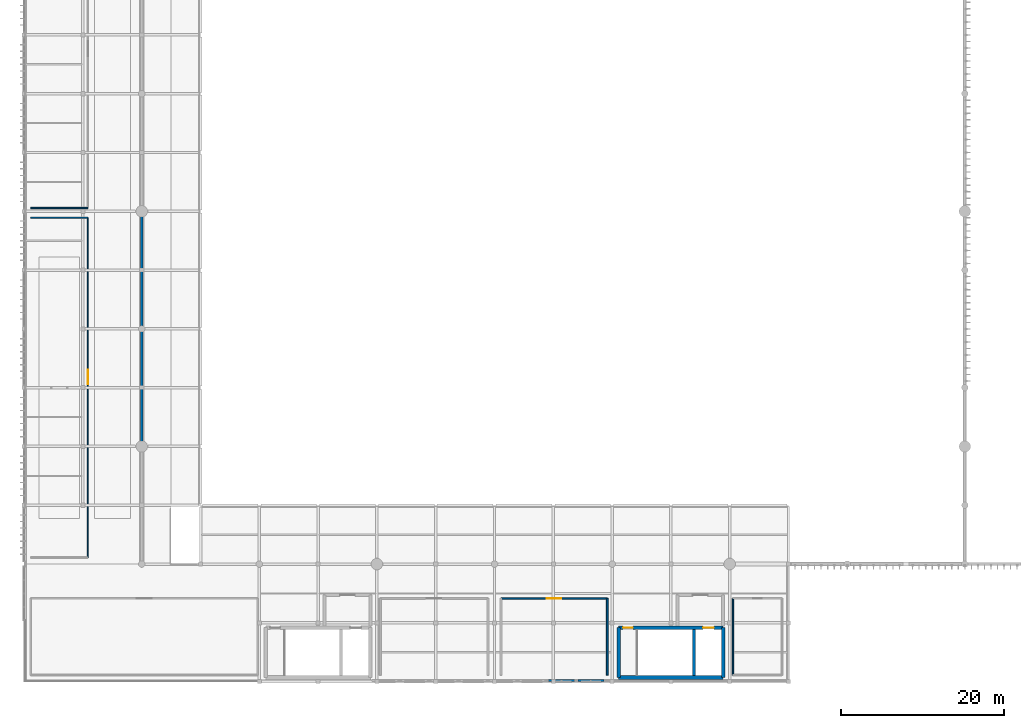
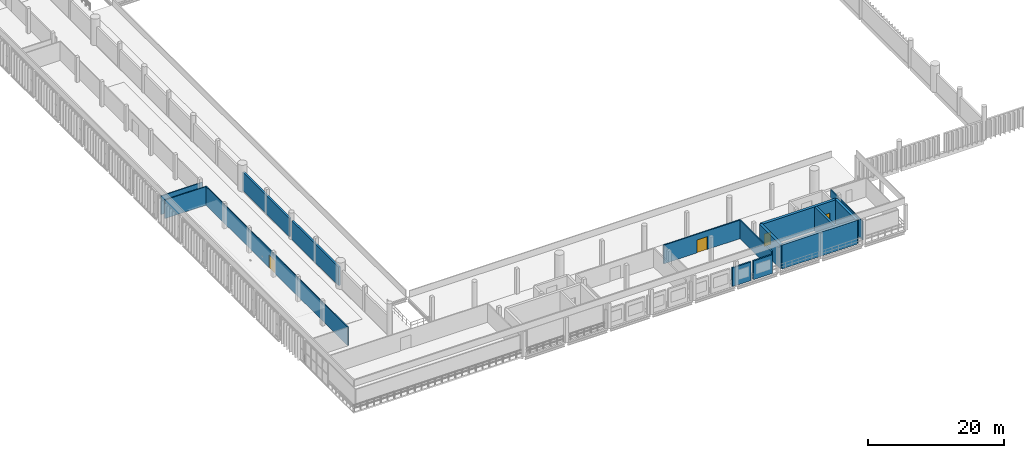
# One storey, part 44 of 64: 15 walls, 4 doors, 4 openings.
"""IFC4 building model written with IfcOpenShell, lengths in metres."""

import ifcopenshell
import ifcopenshell.guid

model = None  # the IFC model being written
_history = None  # IfcOwnerHistory: only IFC2X3 demands one
_inside = {}  # id of a spatial element -> (the spatial element, [elements in it])
_under = {}  # id of a project, library or spatial element -> (it, [spatial elements below it])
_declared = {}  # id of a project -> (the project, [libraries it declares])
_typed = {}  # id of a type object -> (the type object, [elements of that type])
_made_of = {}  # id of a material, layer set ... -> (it, [elements and type objects made of it])


def new_model(schema):
    """Start an empty IFC model of exactly this schema.

    Asked for "IFC4X3", IfcOpenShell would pick the latest addendum, in which some entities
    have other attributes; the version numbers below select the first issue.
    IFC2X3 requires an IfcOwnerHistory on every rooted entity: one is made here for all.
    """
    global model, _history
    if schema == "IFC4X3":
        model = ifcopenshell.file(schema_version=(4, 3, 0, 0))
    else:
        model = ifcopenshell.file(schema=schema)
    _inside.clear()
    _under.clear()
    _declared.clear()
    _typed.clear()
    _made_of.clear()
    _history = None
    if model.schema == "IFC2X3":
        org = make("IfcOrganization", Name="unknown")
        user = make(
            "IfcPersonAndOrganization",
            ThePerson=make("IfcPerson", FamilyName="unknown"),
            TheOrganization=org,
        )
        app = make(
            "IfcApplication",
            ApplicationDeveloper=org,
            Version="unknown",
            ApplicationFullName="unknown",
            ApplicationIdentifier="unknown",
        )
        _history = make(
            "IfcOwnerHistory",
            OwningUser=user,
            OwningApplication=app,
            ChangeAction="ADDED",
            CreationDate=0,
        )
    return model


def make(cls, **values):
    """One entity of the class cls with the attributes given. An attribute that is None is left unset."""
    return model.create_entity(
        cls, **{name: value for name, value in values.items() if value is not None}
    )


def rooted(cls, **values):
    """An entity with a GlobalId (a new one), such as an element, a storey or a relation."""
    return make(cls, GlobalId=ifcopenshell.guid.new(), OwnerHistory=_history, **values)


def si_unit(unit_type, name, prefix=None):
    """IfcSIUnit, for example si_unit("LENGTHUNIT", "METRE", prefix="MILLI")."""
    return make("IfcSIUnit", UnitType=unit_type, Prefix=prefix, Name=name)


def assignment(units):
    """IfcUnitAssignment: the units of a project."""
    return None if units is None else make("IfcUnitAssignment", Units=units)


def point(xyz):
    """IfcCartesianPoint."""
    return None if xyz is None else make("IfcCartesianPoint", Coordinates=xyz)


def direction(xyz):
    """IfcDirection."""
    return None if xyz is None else make("IfcDirection", DirectionRatios=xyz)


def frame(location, z_axis=None, x_axis=None):
    """IfcAxis2Placement3D, a coordinate frame: its origin and axes. An axis left out is left unset."""
    return make(
        "IfcAxis2Placement3D",
        Location=point(location),
        Axis=direction(z_axis),
        RefDirection=direction(x_axis),
    )


def frame_2d(location, x_axis=None):
    """IfcAxis2Placement2D, a coordinate frame in the plane: its origin and x axis."""
    return make(
        "IfcAxis2Placement2D", Location=point(location), RefDirection=direction(x_axis)
    )


def origin():
    """The frame at (0, 0, 0) with its axes left unset."""
    return frame((0.0, 0.0, 0.0))


def place(relative_to, where):
    """IfcLocalPlacement: puts the frame where relative to a parent placement (None: the world)."""
    return make(
        "IfcLocalPlacement", PlacementRelTo=relative_to, RelativePlacement=where
    )


def context(
    kind, dimensions, precision=None, world=None, true_north=None, identifier=None
):
    """IfcGeometricRepresentationContext, for example the 3D "Model" context."""
    return make(
        "IfcGeometricRepresentationContext",
        ContextIdentifier=identifier,
        ContextType=kind,
        CoordinateSpaceDimension=dimensions,
        Precision=precision,
        WorldCoordinateSystem=world,
        TrueNorth=true_north,
    )


def subcontext(parent, identifier, kind, view, scale=None):
    """IfcGeometricRepresentationSubContext, for example "Body" below "Model"."""
    return make(
        "IfcGeometricRepresentationSubContext",
        ContextIdentifier=identifier,
        ContextType=kind,
        ParentContext=parent,
        TargetScale=scale,
        TargetView=view,
    )


def project(units=None, contexts=None):
    """IfcProject with its units and contexts."""
    return rooted(
        "IfcProject",
        Name="project",
        RepresentationContexts=contexts,
        UnitsInContext=assignment(units),
    )


def spatial(cls, under=None, at=None, **own):
    """A site, building, storey or space (cls), placed at a placement, below another one or the project."""
    s = rooted(cls, ObjectPlacement=at, **own)
    if under is not None:
        _under.setdefault(under.id(), (under, []))[1].append(s)
    return s


def profile(cls, at=None, kind="AREA", **sizes):
    """A parametric profile (cls). Its sizes go by their IFC names, for example OverallWidth=200.0."""
    return make(cls, ProfileType=kind, Position=at, **sizes)


def rectangle(**sizes):
    """IfcRectangleProfileDef."""
    return profile("IfcRectangleProfileDef", **sizes)


def extrude(swept, where, along, depth):
    """IfcExtrudedAreaSolid: the profile swept, set in the frame where, extruded along a direction by depth."""
    return make(
        "IfcExtrudedAreaSolid",
        SweptArea=swept,
        Position=where,
        ExtrudedDirection=direction(along),
        Depth=depth,
    )


def shape(context_of_items, identifier, shape_type, items):
    """IfcShapeRepresentation: the items that make up one representation, for example the "Body"."""
    return make(
        "IfcShapeRepresentation",
        ContextOfItems=context_of_items,
        RepresentationIdentifier=identifier,
        RepresentationType=shape_type,
        Items=items,
    )


def material(Name=None, Category=None):
    """IfcMaterial."""
    return make("IfcMaterial", Name=Name, Category=Category)


def layer(
    of_material, thickness, ventilated=None, Name=None, Category=None, Priority=None
):
    """IfcMaterialLayer: one layer of a wall or slab, of a material (None: an air gap)."""
    return make(
        "IfcMaterialLayer",
        Material=of_material,
        LayerThickness=thickness,
        IsVentilated=ventilated,
        Name=Name,
        Category=Category,
        Priority=Priority,
    )


def layer_set(layers, Name=None):
    """IfcMaterialLayerSet."""
    return make("IfcMaterialLayerSet", MaterialLayers=layers, LayerSetName=Name)


def made_of(thing, what):
    """Note that an element or type object is made of a material, layer set ...; save() writes the relation."""
    if what is not None:
        _made_of.setdefault(what.id(), (what, []))[1].append(thing)
    return thing


def type_object(cls, material=None, **own):
    """A type object (cls), such as IfcWallType, which elements share."""
    return made_of(rooted(cls, **own), material)


def element(
    cls,
    number,
    at=None,
    inside=None,
    cuts=None,
    type_object=None,
    material=None,
    context=None,
    identifier="Body",
    shape_type=None,
    held_by="IfcProductDefinitionShape",
    body=None,
    shapes=None,
    **own,
):
    """One element of the class cls, such as IfcWall. Its Tag is "e" and its number.

    at: its placement. inside: the storey or other place that contains it. cuts: it is an
    opening in that element (IfcRelVoidsElement). A single representation is given by context,
    identifier, shape_type and body (its items); several are given by shapes. held_by: the class
    of the entity that holds the representations. save() writes the other relations.
    """
    e = rooted(cls, Tag="e%d" % number, ObjectPlacement=at, **own)
    if body is not None:
        shapes = [shape(context, identifier, shape_type, body)]
    if shapes is not None:
        e.Representation = make(held_by, Representations=shapes)
    if inside is not None:
        _inside.setdefault(inside.id(), (inside, []))[1].append(e)
    if cuts is not None:
        rooted(
            "IfcRelVoidsElement", RelatingBuildingElement=cuts, RelatedOpeningElement=e
        )
    if type_object is not None:
        _typed.setdefault(type_object.id(), (type_object, []))[1].append(e)
    return made_of(e, material)


def fill(opening, filler):
    """IfcRelFillsElement: the door or window that sits in an opening."""
    return rooted(
        "IfcRelFillsElement",
        RelatingOpeningElement=opening,
        RelatedBuildingElement=filler,
    )


def aggregate(whole, parts):
    """IfcRelAggregates: a whole, such as a stair, and the parts it consists of."""
    return rooted("IfcRelAggregates", RelatingObject=whole, RelatedObjects=parts)


def save(model, path):
    """Write the relations noted so far, then the file.

    IfcRelAggregates (storeys below a building ...), IfcRelContainedInSpatialStructure (elements
    in a storey), IfcRelDefinesByType, IfcRelAssociatesMaterial and IfcRelDeclares: one each for
    every whole, place, type object, material and project.
    """
    for whole, parts in _under.values():
        aggregate(whole, parts)
    for where, things in _inside.values():
        rooted(
            "IfcRelContainedInSpatialStructure",
            RelatedElements=things,
            RelatingStructure=where,
        )
    for kind, things in _typed.values():
        rooted("IfcRelDefinesByType", RelatedObjects=things, RelatingType=kind)
    for what, things in _made_of.values():
        rooted("IfcRelAssociatesMaterial", RelatedObjects=things, RelatingMaterial=what)
    for by, libraries in _declared.values():
        rooted("IfcRelDeclares", RelatingContext=by, RelatedDefinitions=libraries)
    model.write(path)


model = new_model("IFC4")

# Units and contexts
model_context = context("Model", 3, precision=1e-05, world=origin(), true_north=direction((0.0, 1.0)))
body_context = subcontext(model_context, "Body", "Model", "MODEL_VIEW")
ifc_project = project(units=[si_unit("LENGTHUNIT", "METRE"), si_unit("AREAUNIT", "SQUARE_METRE"), si_unit("VOLUMEUNIT", "CUBIC_METRE"), si_unit("PLANEANGLEUNIT", "RADIAN"), si_unit("MASSUNIT", "GRAM", prefix="KILO")], contexts=[model_context])

# Site, building, storey
site_placement = place(None, origin())
site = spatial("IfcSite", under=ifc_project, at=site_placement, CompositionType="ELEMENT")
building_placement = place(site_placement, origin())
building = spatial("IfcBuilding", under=site, at=building_placement, Name="Qandorah Velis Arena", CompositionType="ELEMENT")
storey_placement = place(building_placement, frame((0.0, 0.0, 23.0)))
storey = spatial("IfcBuildingStorey", under=building, at=storey_placement, Name="L05", CompositionType="ELEMENT", Elevation=23.0)

# Walls
ifc_material_1 = material(Name="Precast concrete C40/50", Category="concrete")
ifc_layer_1 = layer(ifc_material_1, 0.320068359375)
ifc_layer_set_1 = layer_set([ifc_layer_1], Name="Precast concrete C40/50")
wall_type_1 = type_object("IfcWallType", Name="ARC-WAL-BOWL320", PredefinedType="SOLIDWALL", material=ifc_layer_set_1)
wall_1_placement = place(storey_placement, frame((14.39990234375, 29.14990234375, 0.0), z_axis=(0.0, 0.0, 1.0), x_axis=(0.0, 1.0, 0.0)))
element("IfcWall", 1, at=wall_1_placement, inside=storey, type_object=wall_type_1, Name="Arena bowl acoustic drum wall 1.2 (L05)", PredefinedType="SOLIDWALL", context=body_context, shape_type="SweptSolid", body=[
    extrude(rectangle(XDim=13.7001953125, YDim=0.320068359375, at=frame_2d((6.85009765625, 0.0))), origin(), (0.0, 0.0, 1.0), 3.340087890625),
])
wall_2_placement = place(storey_placement, frame((14.39990234375, 43.550048828125, 0.0), z_axis=(0.0, 0.0, 1.0), x_axis=(0.0, 1.0, 0.0)))
element("IfcWall", 2, at=wall_2_placement, inside=storey, type_object=wall_type_1, Name="Arena bowl acoustic drum wall 1.3 (L05)", PredefinedType="SOLIDWALL", context=body_context, shape_type="SweptSolid", body=[
    extrude(rectangle(XDim=13.699951171875, YDim=0.320068359375, at=frame_2d((6.85009765625, 0.0))), origin(), (0.0, 0.0, 1.0), 3.340087890625),
])
ifc_layer_2 = layer(ifc_material_1, 0.260009765625)
ifc_layer_set_2 = layer_set([ifc_layer_2], Name="Precast concrete C40/50")
wall_type_2 = type_object("IfcWallType", Name="ARC-WAL-EXT260", PredefinedType="SOLIDWALL", material=ifc_layer_set_2)
for number, where, z_axis, x_axis, name in (
    (3, (64.199951171875, 0.14990234375, 0.0), (0.0, 0.0, 1.0), (1.0, 0.0, 0.0), "Smoke-extract plant room facade wall 7"),
    (4, (67.800048828125, 0.14990234375, 0.0), (0.0, 0.0, 1.0), (1.0, 0.0, 0.0), "Smoke-extract plant room facade wall 8"),
):
    element("IfcWall", number, at=place(storey_placement, frame(where, z_axis=z_axis, x_axis=x_axis)), inside=storey, type_object=wall_type_2, Name=name, PredefinedType="SOLIDWALL", context=body_context, shape_type="SweptSolid", body=[
        extrude(rectangle(XDim=3.199951171875, YDim=0.260009765625, at=frame_2d((1.60009765625, 0.0))), origin(), (0.0, 0.0, 1.0), 3.340087890625),
    ])
ifc_material_2 = material(Name="Concrete C35/45", Category="concrete")
ifc_layer_3 = layer(ifc_material_2, 0.199951171875)
ifc_layer_set_3 = layer_set([ifc_layer_3], Name="Concrete C35/45")
wall_type_3 = type_object("IfcWallType", Name="ARC-WAL-FD60-200", PredefinedType="PARTITIONING", material=ifc_layer_set_3)
wall_3_placement = place(storey_placement, frame((71.39990234375, 0.800048828125, 0.0), z_axis=(0.0, 0.0, 1.0), x_axis=(0.0, 1.0, 0.0)))
element("IfcWall", 5, at=wall_3_placement, inside=storey, type_object=wall_type_3, Name="Interior partition L05-AHU-S (E)", PredefinedType="PARTITIONING", context=body_context, shape_type="SweptSolid", body=[
    extrude(rectangle(XDim=9.39990234375, YDim=0.199951171875, at=frame_2d((4.699951171875, 0.0))), origin(), (0.0, 0.0, 1.0), 3.340087890625),
])

# Wall, opening, door
wall_4_placement = place(storey_placement, frame((71.39990234375, 10.199951171875, 0.0), z_axis=(0.0, 0.0, 1.0), x_axis=(-1.0, 0.0, 0.0)))
wall_4 = element("IfcWall", 6, at=wall_4_placement, inside=storey, type_object=wall_type_3, Name="Interior partition L05-AHU-S (N)", PredefinedType="PARTITIONING", context=body_context, shape_type="SweptSolid", body=[
    extrude(rectangle(XDim=13.0, YDim=0.199951171875, at=frame_2d((6.5, 0.0))), origin(), (0.0, 0.0, 1.0), 3.340087890625),
])
opening_1_placement = place(wall_4_placement, frame((5.60009765625, 0.0, 0.0)))
opening_1 = element("IfcOpeningElement", 7, at=opening_1_placement, cuts=wall_4, Name="Opening FD1", PredefinedType="OPENING", context=body_context, shape_type="SweptSolid", body=[
    extrude(rectangle(XDim=1.800048828125, YDim=2.300048828125, at=frame_2d((0.89990234375, 1.14990234375))), frame((0.0, 0.10986328125, 0.0), z_axis=(0.0, -1.0, 0.0), x_axis=(1.0, 0.0, 0.0)), (0.0, 0.0, 1.0), 0.219970703125),
])
ifc_material_3 = material(Name="Insulated fire-rated double steel door", Category="steel")
door_type_1 = type_object("IfcDoorType", Name="ARC-DR-FD1800", OperationType="NOTDEFINED", PredefinedType="DOOR", material=ifc_material_3)
door_1_placement = place(opening_1_placement, frame((1.800048828125, 0.0, 0.0), z_axis=(0.0, 0.0, 1.0), x_axis=(-1.0, 0.0, 0.0)))
door_1 = element("IfcDoor", 8, at=door_1_placement, inside=storey, type_object=door_type_1, Name="Door L05-AHU-S", OperationType="DOUBLE_DOOR_SINGLE_SWING", OverallHeight=2.300048828125, OverallWidth=1.800048828125, PredefinedType="DOOR", context=body_context, shape_type="SweptSolid", body=[
    extrude(rectangle(XDim=1.800048828125, YDim=2.300048828125, at=frame_2d((0.89990234375, 1.14990234375))), frame((0.0, 0.02490234375, 0.0), z_axis=(0.0, -1.0, 0.0), x_axis=(1.0, 0.0, 0.0)), (0.0, 0.0, 1.0), 0.050048828125),
])
fill(opening_1, door_1)

ifc_layer_4 = layer(ifc_material_2, 0.14990234375)
ifc_layer_set_4 = layer_set([ifc_layer_4], Name="Concrete C35/45")
wall_type_4 = type_object("IfcWallType", Name="ARC-WAL-PART150", PredefinedType="PARTITIONING", material=ifc_layer_set_4)
wall_5_placement = place(storey_placement, frame((7.800048828125, 15.199951171875, 0.0), z_axis=(0.0, 0.0, 1.0), x_axis=(0.0, 1.0, 0.0)))
wall_5 = element("IfcWall", 9, at=wall_5_placement, inside=storey, type_object=wall_type_4, Name="Interior partition L05-SKY-LNG (E)", PredefinedType="PARTITIONING", context=body_context, shape_type="SweptSolid", body=[
    extrude(rectangle(XDim=41.60009765625, YDim=0.14990234375, at=frame_2d((20.800048828125, 0.0))), origin(), (0.0, 0.0, 1.0), 3.340087890625),
])
opening_2_placement = place(wall_5_placement, frame((21.199951171875, 0.0, 0.0)))
opening_2 = element("IfcOpeningElement", 10, at=opening_2_placement, cuts=wall_5, Name="Opening D3", PredefinedType="OPENING", context=body_context, shape_type="SweptSolid", body=[
    extrude(rectangle(XDim=1.800048828125, YDim=2.300048828125, at=frame_2d((0.89990234375, 1.14990234375))), frame((0.0, 0.0849609375, 0.0), z_axis=(0.0, -1.0, 0.0), x_axis=(1.0, 0.0, 0.0)), (0.0, 0.0, 1.0), 0.169921875),
])
ifc_material_4 = material(Name="Double-leaf acoustic timber door", Category="wood")
door_type_2 = type_object("IfcDoorType", Name="ARC-DR-DBL1800", OperationType="NOTDEFINED", PredefinedType="DOOR", material=ifc_material_4)
door_2_placement = place(opening_2_placement, frame((1.800048828125, 0.0, 0.0), z_axis=(0.0, 0.0, 1.0), x_axis=(-1.0, 0.0, 0.0)))
door_2 = element("IfcDoor", 11, at=door_2_placement, inside=storey, type_object=door_type_2, Name="Door L05-SKY-LNG", OperationType="DOUBLE_DOOR_SINGLE_SWING", OverallHeight=2.300048828125, OverallWidth=1.800048828125, PredefinedType="DOOR", context=body_context, shape_type="SweptSolid", body=[
    extrude(rectangle(XDim=1.800048828125, YDim=2.300048828125, at=frame_2d((0.89990234375, 1.14990234375))), frame((0.0, 0.02490234375, 0.0), z_axis=(0.0, -1.0, 0.0), x_axis=(1.0, 0.0, 0.0)), (0.0, 0.0, 1.0), 0.050048828125),
])
fill(opening_2, door_2)

# Walls
for number, where, z_axis, x_axis, name in (
    (12, (7.800048828125, 56.800048828125, 0.0), (0.0, 0.0, 1.0), (-1.0, 0.0, 0.0), "Interior partition L05-SKY-LNG (N)"),
    (13, (0.800048828125, 58.0, 0.0), (0.0, 0.0, 1.0), (1.0, 0.0, 0.0), "Interior partition L05-HER-GAL (S)"),
):
    element("IfcWall", number, at=place(storey_placement, frame(where, z_axis=z_axis, x_axis=x_axis)), inside=storey, type_object=wall_type_4, Name=name, PredefinedType="PARTITIONING", context=body_context, shape_type="SweptSolid", body=[
        extrude(rectangle(XDim=7.0, YDim=0.14990234375, at=frame_2d((3.5, 0.0))), origin(), (0.0, 0.0, 1.0), 3.340087890625),
    ])
wall_6_placement = place(storey_placement, frame((86.800048828125, 10.199951171875, 0.0), z_axis=(0.0, 0.0, 1.0), x_axis=(0.0, -1.0, 0.0)))
element("IfcWall", 14, at=wall_6_placement, inside=storey, type_object=wall_type_4, Name="Interior partition L05-L05-AWC (W)", PredefinedType="PARTITIONING", context=body_context, shape_type="SweptSolid", body=[
    extrude(rectangle(XDim=9.39990234375, YDim=0.14990234375, at=frame_2d((4.699951171875, 0.0))), origin(), (0.0, 0.0, 1.0), 3.340087890625),
])
ifc_material_5 = material(Name="Concrete C40/50", Category="concrete")
ifc_layer_5 = layer(ifc_material_5, 0.449951171875)
ifc_layer_set_5 = layer_set([ifc_layer_5], Name="Concrete C40/50")
wall_type_5 = type_object("IfcWallType", Name="STR-WAL-CORE450", PredefinedType="SHEAR", material=ifc_layer_set_5)
wall_7_placement = place(storey_placement, frame((72.800048828125, 0.5, 0.0), z_axis=(0.0, 0.0, 1.0), x_axis=(1.0, 0.0, 0.0)))
element("IfcWall", 15, at=wall_7_placement, inside=storey, type_object=wall_type_5, Name="Core CORE-02 shear wall S (L05)", PredefinedType="SHEAR", context=body_context, shape_type="SweptSolid", body=[
    extrude(rectangle(XDim=12.800048828125, YDim=0.449951171875, at=frame_2d((6.39990234375, 0.0))), origin(), (0.0, 0.0, 1.0), 4.280029296875),
])

# Wall, openings, doors
wall_8_placement = place(storey_placement, frame((72.800048828125, 6.60009765625, 0.0), z_axis=(0.0, 0.0, 1.0), x_axis=(1.0, 0.0, 0.0)))
wall_8 = element("IfcWall", 16, at=wall_8_placement, inside=storey, type_object=wall_type_5, Name="Core CORE-02 shear wall N (L05)", PredefinedType="SHEAR", context=body_context, shape_type="SweptSolid", body=[
    extrude(rectangle(XDim=12.800048828125, YDim=0.449951171875, at=frame_2d((6.39990234375, 0.0))), origin(), (0.0, 0.0, 1.0), 4.280029296875),
])
opening_3_placement = place(wall_8_placement, frame((0.550048828125, 0.0, 0.0)))
opening_3 = element("IfcOpeningElement", 17, at=opening_3_placement, cuts=wall_8, Name="Opening SD1", PredefinedType="OPENING", context=body_context, shape_type="SweptSolid", body=[
    extrude(rectangle(XDim=1.199951171875, YDim=2.25, at=frame_2d((0.60009765625, 1.125))), frame((0.0, 0.23486328125, 0.0), z_axis=(0.0, -1.0, 0.0), x_axis=(1.0, 0.0, 0.0)), (0.0, 0.0, 1.0), 0.469970703125),
])
opening_4_placement = place(wall_8_placement, frame((10.35791015625, 0.0, 0.0)))
opening_4 = element("IfcOpeningElement", 18, at=opening_4_placement, cuts=wall_8, Name="Opening LD2", PredefinedType="OPENING", context=body_context, shape_type="SweptSolid", body=[
    extrude(rectangle(XDim=1.300048828125, YDim=2.25, at=frame_2d((0.64990234375, 1.125))), frame((0.0, 0.23486328125, 0.0), z_axis=(0.0, -1.0, 0.0), x_axis=(1.0, 0.0, 0.0)), (0.0, 0.0, 1.0), 0.469970703125),
])
ifc_material_6 = material(Name="Firefighting stainless sliding lift landing door", Category="steel")
door_type_3 = type_object("IfcDoorType", Name="ARC-DR-LD1300", OperationType="NOTDEFINED", PredefinedType="DOOR", material=ifc_material_6)
door_3_placement = place(opening_4_placement, origin())
door_3 = element("IfcDoor", 19, at=door_3_placement, inside=storey, type_object=door_type_3, Name="Lift FL2 sliding landing door (L05)", OperationType="SLIDING_TO_LEFT", OverallHeight=2.25, OverallWidth=1.300048828125, PredefinedType="DOOR", context=body_context, shape_type="SweptSolid", body=[
    extrude(rectangle(XDim=1.300048828125, YDim=2.25, at=frame_2d((0.64990234375, 1.125))), frame((0.0, 0.02490234375, 0.0), z_axis=(0.0, -1.0, 0.0), x_axis=(1.0, 0.0, 0.0)), (0.0, 0.0, 1.0), 0.050048828125),
])
fill(opening_4, door_3)
ifc_material_7 = material(Name="Self-closing fire-rated stair steel door", Category="steel")
door_type_4 = type_object("IfcDoorType", Name="ARC-DR-ST1200", OperationType="NOTDEFINED", PredefinedType="DOOR", material=ifc_material_7)
door_4_placement = place(opening_3_placement, frame((1.199951171875, 0.0, 0.0), z_axis=(0.0, 0.0, 1.0), x_axis=(-1.0, 0.0, 0.0)))
door_4 = element("IfcDoor", 20, at=door_4_placement, inside=storey, type_object=door_type_4, Name="Stair ST2 fire door (L05)", OperationType="SINGLE_SWING_LEFT", OverallHeight=2.25, OverallWidth=1.199951171875, PredefinedType="DOOR", context=body_context, shape_type="SweptSolid", body=[
    extrude(rectangle(XDim=1.199951171875, YDim=2.25, at=frame_2d((0.60009765625, 1.125))), frame((0.0, 0.02490234375, 0.0), z_axis=(0.0, -1.0, 0.0), x_axis=(1.0, 0.0, 0.0)), (0.0, 0.0, 1.0), 0.050048828125),
])
fill(opening_3, door_4)

# Walls
for number, where, z_axis, x_axis, name in (
    (21, (72.800048828125, 0.5, 0.0), (0.0, 0.0, 1.0), (0.0, 1.0, 0.0), "Core CORE-02 shear wall W (L05)"),
    (22, (85.60009765625, 0.5, 0.0), (0.0, 0.0, 1.0), (0.0, 1.0, 0.0), "Core CORE-02 shear wall E (L05)"),
):
    element("IfcWall", number, at=place(storey_placement, frame(where, z_axis=z_axis, x_axis=x_axis)), inside=storey, type_object=wall_type_5, Name=name, PredefinedType="SHEAR", context=body_context, shape_type="SweptSolid", body=[
        extrude(rectangle(XDim=6.10009765625, YDim=0.449951171875, at=frame_2d((3.050048828125, 0.0))), origin(), (0.0, 0.0, 1.0), 4.280029296875),
    ])
ifc_layer_6 = layer(ifc_material_5, 0.35009765625)
ifc_layer_set_6 = layer_set([ifc_layer_6], Name="Concrete C40/50")
wall_type_6 = type_object("IfcWallType", Name="STR-WAL-SH350", PredefinedType="SHEAR", material=ifc_layer_set_6)
wall_9_placement = place(storey_placement, frame((82.01611328125, 0.72509765625, 0.0), z_axis=(0.0, 0.0, 1.0), x_axis=(0.0, 1.0, 0.0)))
element("IfcWall", 23, at=wall_9_placement, inside=storey, type_object=wall_type_6, Name="Core CORE-02 shaft divider shear wall (L05)", PredefinedType="SHEAR", context=body_context, shape_type="SweptSolid", body=[
    extrude(rectangle(XDim=5.64990234375, YDim=0.35009765625, at=frame_2d((2.824951171875, 0.0))), origin(), (0.0, 0.0, 1.0), 4.280029296875),
])

save(model, "model.ifc")
